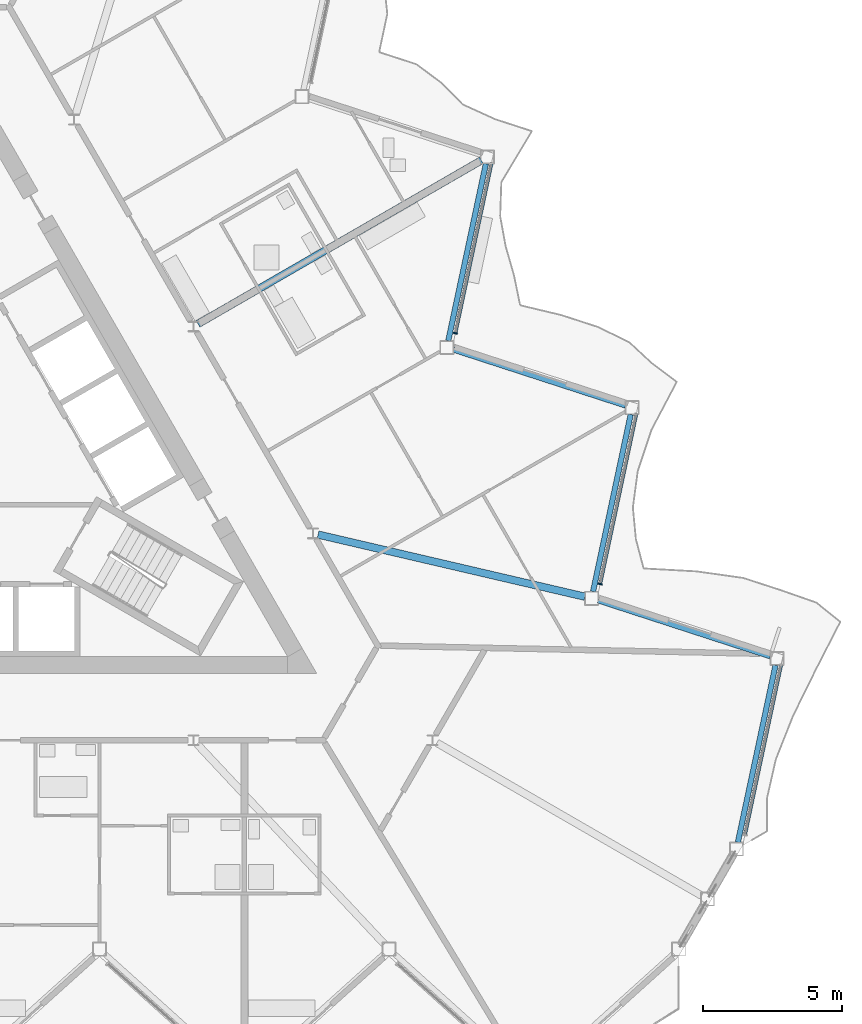
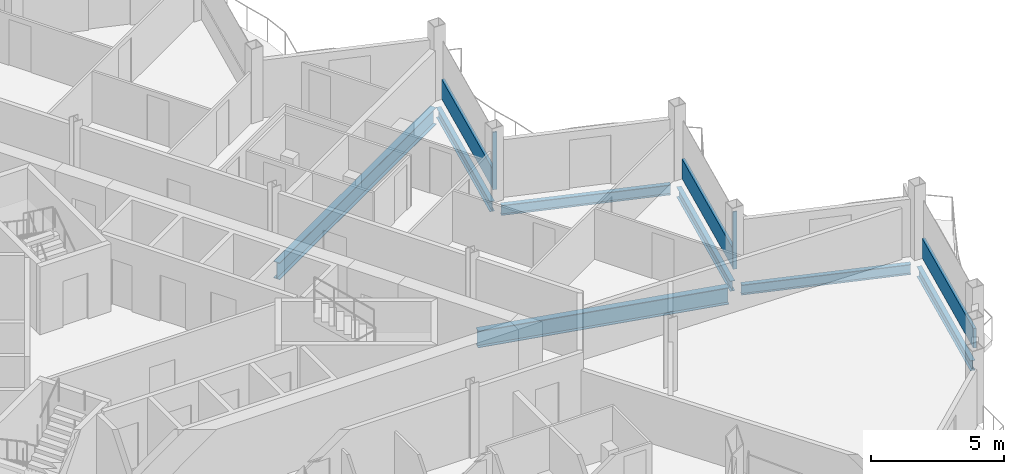
# One storey, part 8 of 25: 7 beams, 5 members, 3 elements without a shape of their own.
"""IFC4 building model written with IfcOpenShell, lengths in metres."""

from ifc_helpers import new_model, si_unit, direction, frame, origin, origin_2d, place, context, subcontext, project, spatial, rectangle, i_section, extrude, material, layer, layer_set, material_profile, profile_set, type_object, element, aggregate, save


model = new_model("IFC4")

# Units and contexts
model_context = context("Model", 3, precision=1e-05, world=origin(), true_north=direction((0.0, 1.0)))
body_context = subcontext(model_context, "Body", "Model", "MODEL_VIEW")
ifc_project = project(units=[si_unit("LENGTHUNIT", "METRE"), si_unit("AREAUNIT", "SQUARE_METRE"), si_unit("VOLUMEUNIT", "CUBIC_METRE"), si_unit("PLANEANGLEUNIT", "RADIAN"), si_unit("MASSUNIT", "GRAM", prefix="KILO")], contexts=[model_context])

# Site, building, storey
site_placement = place(None, origin())
site = spatial("IfcSite", under=ifc_project, at=site_placement, CompositionType="ELEMENT")
building_placement = place(site_placement, origin())
building = spatial("IfcBuilding", under=site, at=building_placement, Name="Cormorant Prow Tower", CompositionType="ELEMENT")
storey_placement = place(building_placement, frame((0.0, 0.0, 391.60009765625)))
storey = spatial("IfcBuildingStorey", under=building, at=storey_placement, Name="L89", CompositionType="ELEMENT", Elevation=391.60009765625)

# Beams
ifc_material_1 = material(Name="Structural steel ASTM A992 Gr 50", Category="steel")
ifc_material_profile_1 = material_profile(ifc_material_1, i_section(OverallWidth=0.267822265625, OverallDepth=0.77001953125, WebThickness=0.015625, FlangeThickness=0.025390625, at=origin_2d()), Name="W30x132")
ifc_profile_set_1 = profile_set([ifc_material_profile_1], Name="Structural steel ASTM A992 Gr 50")
beam_type_1 = type_object("IfcBeamType", Name="Radial floor beam W30x132", PredefinedType="BEAM", material=ifc_profile_set_1)
beam_1_placement = place(storey_placement, frame((13.0498046875, -2.518798828125, -0.68505859375), z_axis=(0.973926084128, -0.226865560752, 0.0), x_axis=(0.226865560752, 0.973926084128, 0.0)))
element("IfcBeam", 1, at=beam_1_placement, inside=storey, type_object=beam_type_1, Name="Radial floor beam FB3 10 L89", PredefinedType="BEAM", context=body_context, shape_type="SweptSolid", body=[
    extrude(i_section(OverallWidth=0.267822265625, OverallDepth=0.77001953125, WebThickness=0.015625, FlangeThickness=0.025390625, at=origin_2d()), origin(), (0.0, 0.0, 1.0), 9.837158203125),
])
beam_2_placement = place(storey_placement, frame((8.740478515625, 5.04638671875, -0.68505859375), z_axis=(0.866026702285, 0.499997750924, 0.0), x_axis=(-0.499997750924, 0.866026702285, 0.0)))
element("IfcBeam", 2, at=beam_2_placement, inside=storey, type_object=beam_type_1, Name="Radial floor beam FB3 11 L89", PredefinedType="BEAM", context=body_context, shape_type="SweptSolid", body=[
    extrude(i_section(OverallWidth=0.267822265625, OverallDepth=0.77001953125, WebThickness=0.015625, FlangeThickness=0.025390625, at=origin_2d()), origin(), (0.0, 0.0, 1.0), 11.7451171875),
])

# Curtain wall, member
ifc_material_2 = material(Name="Aluminium 6063-T6", Category="aluminium")
ifc_layer = layer(ifc_material_2, 0.159912109375)
ifc_layer_set = layer_set([ifc_layer], Name="Aluminium 6063-T6")
curtain_wall_type = type_object("IfcCurtainWallType", Name="Residential unitised curtain wall 160", PredefinedType="NOTDEFINED", material=ifc_layer_set)
curtain_wall_1_placement = place(storey_placement, origin())
curtain_wall_1 = element("IfcCurtainWall", 3, at=curtain_wall_1_placement, inside=storey, type_object=curtain_wall_type, Name="Residential curtain wall ENE02", PredefinedType="NOTDEFINED")
ifc_material_3 = material(Name="Aluminium 6063-T6", Category="aluminium")
ifc_material_profile_2 = material_profile(ifc_material_3, rectangle(XDim=0.159912109375, YDim=0.050048828125, at=origin_2d()), Name="Residential mullion 50x160")
ifc_profile_set_2 = profile_set([ifc_material_profile_2], Name="Aluminium 6063-T6")
member_type_1 = type_object("IfcMemberType", Name="Residential mullion 50x160", PredefinedType="MULLION", material=ifc_profile_set_2)
member_1_placement = place(storey_placement, frame((23.179443359375, -4.295166015625, 0.0), z_axis=(0.0, 0.0, 1.0), x_axis=(-0.978147609588, 0.207911649162, 0.0)))
member_1 = element("IfcMember", 4, at=member_1_placement, type_object=member_type_1, Name="Residential mullion ENE02", PredefinedType="MULLION", context=body_context, shape_type="SweptSolid", body=[
    extrude(rectangle(XDim=0.159912109375, YDim=0.050048828125, at=origin_2d()), origin(), (0.0, 0.0, 1.0), 2.6337890625),
])

curtain_wall_2_placement = place(storey_placement, origin())
curtain_wall_2 = element("IfcCurtainWall", 5, at=curtain_wall_2_placement, inside=storey, type_object=curtain_wall_type, Name="Residential curtain wall ENE04", PredefinedType="NOTDEFINED")
member_2_placement = place(storey_placement, frame((17.9794921875, 4.71142578125, 0.0), z_axis=(0.0, 0.0, 1.0), x_axis=(-0.978147609588, 0.207911649162, 0.0)))
member_2 = element("IfcMember", 6, at=member_2_placement, type_object=member_type_1, Name="Residential mullion ENE04", PredefinedType="MULLION", context=body_context, shape_type="SweptSolid", body=[
    extrude(rectangle(XDim=0.159912109375, YDim=0.050048828125, at=origin_2d()), origin(), (0.0, 0.0, 1.0), 2.6337890625),
])

curtain_wall_3_placement = place(storey_placement, origin())
curtain_wall_3 = element("IfcCurtainWall", 7, at=curtain_wall_3_placement, inside=storey, type_object=curtain_wall_type, Name="Residential curtain wall ENE00", PredefinedType="NOTDEFINED")
ifc_material_4 = material(Name="Terracotta", Category="masonry")
ifc_material_profile_3 = material_profile(ifc_material_4, rectangle(XDim=0.1201171875, YDim=0.89990234375, at=origin_2d()), Name="Residential terracotta spandrel rail 120x900")
ifc_profile_set_3 = profile_set([ifc_material_profile_3], Name="Terracotta")
member_type_2 = type_object("IfcMemberType", Name="Residential terracotta spandrel rail 120x900", PredefinedType="USERDEFINED", material=ifc_profile_set_3)
member_3_placement = place(storey_placement, frame((28.384765625, -13.27734375, 0.449951171875), z_axis=(0.207878957477, 0.978154557848, 0.0), x_axis=(-0.978154557848, 0.207878957477, 0.0)))
member_3 = element("IfcMember", 8, at=member_3_placement, type_object=member_type_2, Name="Residential spandrel rail ENE00", ObjectType="TRANSOM", PredefinedType="USERDEFINED", context=body_context, shape_type="SweptSolid", body=[
    extrude(rectangle(XDim=0.1201171875, YDim=0.89990234375, at=origin_2d()), origin(), (0.0, 0.0, 1.0), 6.215087890625),
])
aggregate(curtain_wall_3, [member_3])

# Member
member_4_placement = place(storey_placement, frame((23.1845703125, -4.270751953125, 0.449951171875), z_axis=(0.207908552773, 0.978148267741, 0.0), x_axis=(-0.978148267741, 0.207908552773, 0.0)))
member_4 = element("IfcMember", 9, at=member_4_placement, type_object=member_type_2, Name="Residential spandrel rail ENE02", ObjectType="TRANSOM", PredefinedType="USERDEFINED", context=body_context, shape_type="SweptSolid", body=[
    extrude(rectangle(XDim=0.1201171875, YDim=0.89990234375, at=origin_2d()), origin(), (0.0, 0.0, 1.0), 6.21533203125),
])

aggregate(curtain_wall_1, [member_1, member_4])

member_5_placement = place(storey_placement, frame((17.984619140625, 4.736083984375, 0.449951171875), z_axis=(0.207916541247, 0.978146569731, 0.0), x_axis=(-0.978146569731, 0.207916541247, 0.0)))
member_5 = element("IfcMember", 10, at=member_5_placement, type_object=member_type_2, Name="Residential spandrel rail ENE04", ObjectType="TRANSOM", PredefinedType="USERDEFINED", context=body_context, shape_type="SweptSolid", body=[
    extrude(rectangle(XDim=0.1201171875, YDim=0.89990234375, at=origin_2d()), origin(), (0.0, 0.0, 1.0), 6.215087890625),
])

aggregate(curtain_wall_2, [member_2, member_5])

# Beams
ifc_material_5 = material(Name="Structural steel ASTM A992 Gr 50", Category="steel")
ifc_material_profile_4 = material_profile(ifc_material_5, i_section(OverallWidth=0.19287109375, OverallDepth=0.466064453125, WebThickness=0.011474609375, FlangeThickness=0.01904296875, at=origin_2d()), Name="W18x65")
ifc_profile_set_4 = profile_set([ifc_material_profile_4], Name="Structural steel ASTM A992 Gr 50")
beam_type_2 = type_object("IfcBeamType", Name="Spandrel beam W18x65", PredefinedType="SPANDREL", material=ifc_profile_set_4)
beam_3_placement = place(storey_placement, frame((28.125732421875, -13.5693359375, -0.533203125), z_axis=(0.207901897373, 0.978149682344, 0.0), x_axis=(-0.978149682344, 0.207901897373, 0.0)))
element("IfcBeam", 11, at=beam_3_placement, inside=storey, type_object=beam_type_2, Name="Spandrel beam SB4 ENE00-ENE01 L89", PredefinedType="SPANDREL", context=body_context, shape_type="SweptSolid", body=[
    extrude(i_section(OverallWidth=0.19287109375, OverallDepth=0.466064453125, WebThickness=0.011474609375, FlangeThickness=0.01904296875, at=origin_2d()), origin(), (0.0, 0.0, 1.0), 6.49755859375),
])
for number, where, z_axis, x_axis, name in (
    (12, (29.290771484375, -6.89208984375, -0.533203125), (-0.951053396625, 0.309026595569, 0.0), (-0.309026595569, -0.951053396625, 0.0), "Spandrel beam SB4 ENE01-ENE02 L89"),
    (13, (22.92578125, -4.5625, -0.533203125), (0.207909538847, 0.978148058147, 0.0), (-0.978148058147, 0.207909538847, 0.0), "Spandrel beam SB4 ENE02-ENE03 L89"),
    (14, (24.0908203125, 2.114501953125, -0.533203125), (-0.951053396625, 0.309026595569, 0.0), (-0.309026595569, -0.951053396625, 0.0), "Spandrel beam SB4 ENE03-ENE04 L89"),
    (15, (17.725830078125, 4.444091796875, -0.533203125), (0.207909538847, 0.978148058147, 0.0), (-0.978148058147, 0.207909538847, 0.0), "Spandrel beam SB4 ENE04-ENE05 L89"),
):
    element("IfcBeam", number, at=place(storey_placement, frame(where, z_axis=z_axis, x_axis=x_axis)), inside=storey, type_object=beam_type_2, Name=name, PredefinedType="SPANDREL", context=body_context, shape_type="SweptSolid", body=[
        extrude(i_section(OverallWidth=0.19287109375, OverallDepth=0.466064453125, WebThickness=0.011474609375, FlangeThickness=0.01904296875, at=origin_2d()), origin(), (0.0, 0.0, 1.0), 6.497314453125),
    ])

save(model, "model.ifc")
